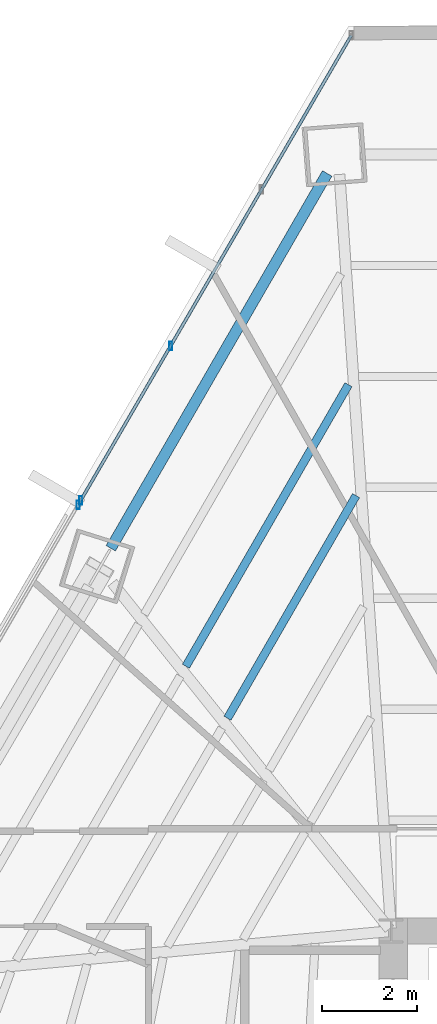
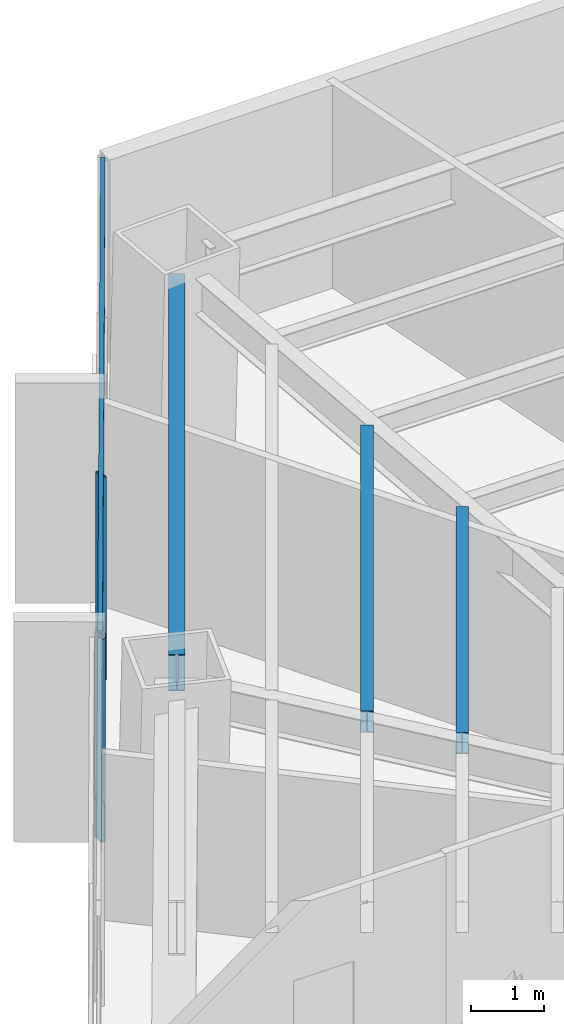
# One storey, part 23 of 35: 5 members, 3 beams, 2 elements without a shape of their own.
"""IFC4 building model written with IfcOpenShell, lengths in metres."""

from ifc_helpers import new_model, si_unit, direction, frame, origin, origin_2d, place, context, subcontext, project, spatial, hollow_rectangle, i_section, extrude, source, transform, mapped, material, material_profile, profile_set, type_object, type_shapes, element, aggregate, save


model = new_model("IFC4")

# Units and contexts
model_context = context("Model", 3, precision=1e-05, world=origin(), true_north=direction((0.0, 1.0)))
body_context = subcontext(model_context, "Body", "Model", "MODEL_VIEW")
ifc_project = project(units=[si_unit("LENGTHUNIT", "METRE"), si_unit("AREAUNIT", "SQUARE_METRE"), si_unit("VOLUMEUNIT", "CUBIC_METRE"), si_unit("PLANEANGLEUNIT", "RADIAN"), si_unit("MASSUNIT", "GRAM", prefix="KILO")], contexts=[model_context])

# Site, building, storey
site_placement = place(None, origin())
site = spatial("IfcSite", under=ifc_project, at=site_placement, CompositionType="ELEMENT")
building_placement = place(site_placement, origin())
building = spatial("IfcBuilding", under=site, at=building_placement, Name="Caelisora Broadcast Tower", CompositionType="ELEMENT")
storey_placement = place(building_placement, frame((0.0, 0.0, 53.14990234375)))
storey = spatial("IfcBuildingStorey", under=building, at=storey_placement, Name="L13", CompositionType="ELEMENT", Elevation=53.14990234375)

# Beams
ifc_material_1 = material(Name="Steel Grade 350 (AS/NZS 3679.1)", Category="steel")
ifc_material_profile_1 = material_profile(ifc_material_1, i_section(OverallWidth=0.22900390625, OverallDepth=0.611572265625, WebThickness=0.011962890625, FlangeThickness=0.01953125, at=origin_2d()), Name="Steel Grade 350 (AS/NZS 3679.1)")
ifc_profile_set_1 = profile_set([ifc_material_profile_1], Name="Steel Grade 350 (AS/NZS 3679.1)")
beam_type_1 = type_object("IfcBeamType", Name="PG03", PredefinedType="BEAM", material=ifc_profile_set_1)
shared_shape_1 = source(origin(), body_context, "Body", "SweptSolid", [
    extrude(i_section(OverallWidth=0.22900390625, OverallDepth=0.611572265625, WebThickness=0.011962890625, FlangeThickness=0.01953125, at=origin_2d()), origin(), (0.0, 0.0, 1.0), 9.09716796875),
])
type_shapes(beam_type_1, [shared_shape_1])
beam_1_placement = place(storey_placement, frame((29.156005859375, 45.925048828125, 3.09423828125), z_axis=(-0.499998124367, -0.866026486679, 0.0), x_axis=(0.866026486679, -0.499998124367, 0.0)))
element("IfcBeam", 1, at=beam_1_placement, inside=storey, type_object=beam_type_1, Name="L13 beam PG03", PredefinedType="BEAM", context=body_context, shape_type="MappedRepresentation", body=[
    mapped(shared_shape_1, transform((0.0, 0.0, 0.0), scale=1.0)),
])
ifc_material_profile_2 = material_profile(ifc_material_1, i_section(OverallWidth=0.172119140625, OverallDepth=0.358642578125, WebThickness=0.008056640625, FlangeThickness=0.012939453125, at=origin_2d()), Name="Steel Grade 350 (AS/NZS 3679.1)")
ifc_profile_set_2 = profile_set([ifc_material_profile_2], Name="Steel Grade 350 (AS/NZS 3679.1)")
beam_type_2 = type_object("IfcBeamType", Name="SB02", PredefinedType="JOIST", material=ifc_profile_set_2)
shared_shape_2 = source(origin(), body_context, "Body", "SweptSolid", [
    extrude(i_section(OverallWidth=0.172119140625, OverallDepth=0.358642578125, WebThickness=0.008056640625, FlangeThickness=0.012939453125, at=origin_2d()), origin(), (0.0, 0.0, 1.0), 5.4033203125),
])
beam_2_placement = place(storey_placement, frame((29.7626953125, 39.1533203125, 3.220703125), z_axis=(-0.499997539448, -0.86602682438, 0.0), x_axis=(0.86602682438, -0.499997539448, 0.0)))
element("IfcBeam", 2, at=beam_2_placement, inside=storey, type_object=beam_type_2, Name="L13 beam SB02", PredefinedType="JOIST", context=body_context, shape_type="MappedRepresentation", body=[
    mapped(shared_shape_2, transform((0.0, 0.0, 0.0), scale=1.0)),
])
shared_shape_3 = source(origin(), body_context, "Body", "SweptSolid", [
    extrude(i_section(OverallWidth=0.172119140625, OverallDepth=0.358642578125, WebThickness=0.008056640625, FlangeThickness=0.012939453125, at=origin_2d()), origin(), (0.0, 0.0, 1.0), 6.834228515625),
])
type_shapes(beam_type_2, [shared_shape_2, shared_shape_3])
beam_3_placement = place(storey_placement, frame((29.603515625, 41.485107421875, 3.220703125), z_axis=(-0.499981176213, -0.86603627143, 0.0), x_axis=(0.86603627143, -0.499981176213, 0.0)))
element("IfcBeam", 3, at=beam_3_placement, inside=storey, type_object=beam_type_2, Name="L13 beam SB02", PredefinedType="JOIST", context=body_context, shape_type="MappedRepresentation", body=[
    mapped(shared_shape_3, transform((0.0, 0.0, 0.0), scale=1.0)),
])

# Curtain wall, member
ifc_material_2 = material(Name="Unitised Aluminium Insulated Shadow-Box Spandrel Curtain Wall", Category="aluminium")
curtain_wall_type_1 = type_object("IfcCurtainWallType", Name="CW-SP1", PredefinedType="NOTDEFINED", material=ifc_material_2)
curtain_wall_1_placement = place(storey_placement, origin())
curtain_wall_1 = element("IfcCurtainWall", 4, at=curtain_wall_1_placement, inside=storey, type_object=curtain_wall_type_1, Name="L13 curtain wall CW-SP1", PredefinedType="NOTDEFINED")
ifc_material_3 = material(Name="Aluminium 6063-T6 Anodised Terracotta Bronze", Category="aluminium")
ifc_material_profile_3 = material_profile(ifc_material_3, hollow_rectangle(XDim=0.06494140625, YDim=0.179931640625, WallThickness=0.00341796875, at=origin_2d()), Name="Aluminium 6063-T6 Anodised Terracotta Bronze")
ifc_profile_set_3 = profile_set([ifc_material_profile_3], Name="Aluminium 6063-T6 Anodised Terracotta Bronze")
member_type_1 = type_object("IfcMemberType", Name="CWM-02", PredefinedType="MULLION", material=ifc_profile_set_3)
shared_shape_4 = source(origin(), body_context, "Body", "SweptSolid", [
    extrude(hollow_rectangle(XDim=0.06494140625, YDim=0.179931640625, WallThickness=0.00341796875, at=origin_2d()), origin(), (0.0, 0.0, 1.0), 3.400146484375),
])
type_shapes(member_type_1, [shared_shape_4])
member_1_placement = place(storey_placement, frame((23.921630859375, 38.958740234375, 0.0), z_axis=(0.0, 0.0, 1.0), x_axis=(1.0, 0.0, 0.0)))
member_1 = element("IfcMember", 5, at=member_1_placement, type_object=member_type_1, Name="L13-CW-B10 mullion #3", PredefinedType="MULLION", context=body_context, shape_type="MappedRepresentation", body=[
    mapped(shared_shape_4, transform((0.0, 0.0, 0.0), scale=1.0)),
])
aggregate(curtain_wall_1, [member_1])

# Curtain wall, members
ifc_material_4 = material(Name="Unitised Aluminium and Low-E Glass Curtain Wall", Category="glass")
curtain_wall_type_2 = type_object("IfcCurtainWallType", Name="CW-Z1", PredefinedType="NOTDEFINED", material=ifc_material_4)
curtain_wall_2_placement = place(storey_placement, origin())
curtain_wall_2 = element("IfcCurtainWall", 6, at=curtain_wall_2_placement, inside=storey, type_object=curtain_wall_type_2, Name="L13 curtain wall CW-Z1", PredefinedType="NOTDEFINED")
member_2_placement = place(storey_placement, frame((23.976806640625, 39.0537109375, 0.0), z_axis=(0.0, 0.0, 1.0), x_axis=(1.0, 0.0, 0.0)))
member_2 = element("IfcMember", 7, at=member_2_placement, type_object=member_type_1, Name="L13-CW-B11 mullion #0", PredefinedType="MULLION", context=body_context, shape_type="MappedRepresentation", body=[
    mapped(shared_shape_4, transform((0.0, 0.0, 0.0), scale=1.0)),
])
member_3_placement = place(storey_placement, frame((25.86376953125, 42.297119140625, 0.0), z_axis=(0.0, 0.0, 1.0), x_axis=(1.0, 0.0, 0.0)))
member_3 = element("IfcMember", 8, at=member_3_placement, type_object=member_type_1, Name="L13-CW-B11 mullion #1", PredefinedType="MULLION", context=body_context, shape_type="MappedRepresentation", body=[
    mapped(shared_shape_4, transform((0.0, 0.0, 0.0), scale=1.0)),
])
ifc_material_profile_4 = material_profile(ifc_material_3, hollow_rectangle(XDim=0.06494140625, YDim=0.179931640625, WallThickness=0.00341796875, at=origin_2d()), Name="Aluminium 6063-T6 Anodised Terracotta Bronze")
ifc_profile_set_4 = profile_set([ifc_material_profile_4], Name="Aluminium 6063-T6 Anodised Terracotta Bronze")
member_type_2 = type_object("IfcMemberType", Name="CWT-01", PredefinedType="USERDEFINED", material=ifc_profile_set_4)
shared_shape_5 = source(origin(), body_context, "Body", "SweptSolid", [
    extrude(hollow_rectangle(XDim=0.06494140625, YDim=0.179931640625, WallThickness=0.00341796875, at=origin_2d()), origin(), (0.0, 0.0, 1.0), 11.306884765625),
])
type_shapes(member_type_2, [shared_shape_5])
member_4_placement = place(storey_placement, frame((23.976806640625, 39.0537109375, 0.85009765625), z_axis=(0.502881259686, 0.864355504787, 0.0), x_axis=(-0.864355504787, 0.502881259686, 0.0)))
member_4 = element("IfcMember", 9, at=member_4_placement, type_object=member_type_2, Name="L13-CW-B11 transom #1", ObjectType="TRANSOM", PredefinedType="USERDEFINED", context=body_context, shape_type="MappedRepresentation", body=[
    mapped(shared_shape_5, transform((0.0, 0.0, 0.0), scale=1.0)),
])
member_5_placement = place(storey_placement, frame((23.976806640625, 39.0537109375, 3.320068359375), z_axis=(0.502881259686, 0.864355504787, 0.0), x_axis=(-0.864355504787, 0.502881259686, 0.0)))
member_5 = element("IfcMember", 10, at=member_5_placement, type_object=member_type_2, Name="L13-CW-B11 transom #2", ObjectType="TRANSOM", PredefinedType="USERDEFINED", context=body_context, shape_type="MappedRepresentation", body=[
    mapped(shared_shape_5, transform((0.0, 0.0, 0.0), scale=1.0)),
])
aggregate(curtain_wall_2, [member_2, member_3, member_4, member_5])

save(model, "model.ifc")
